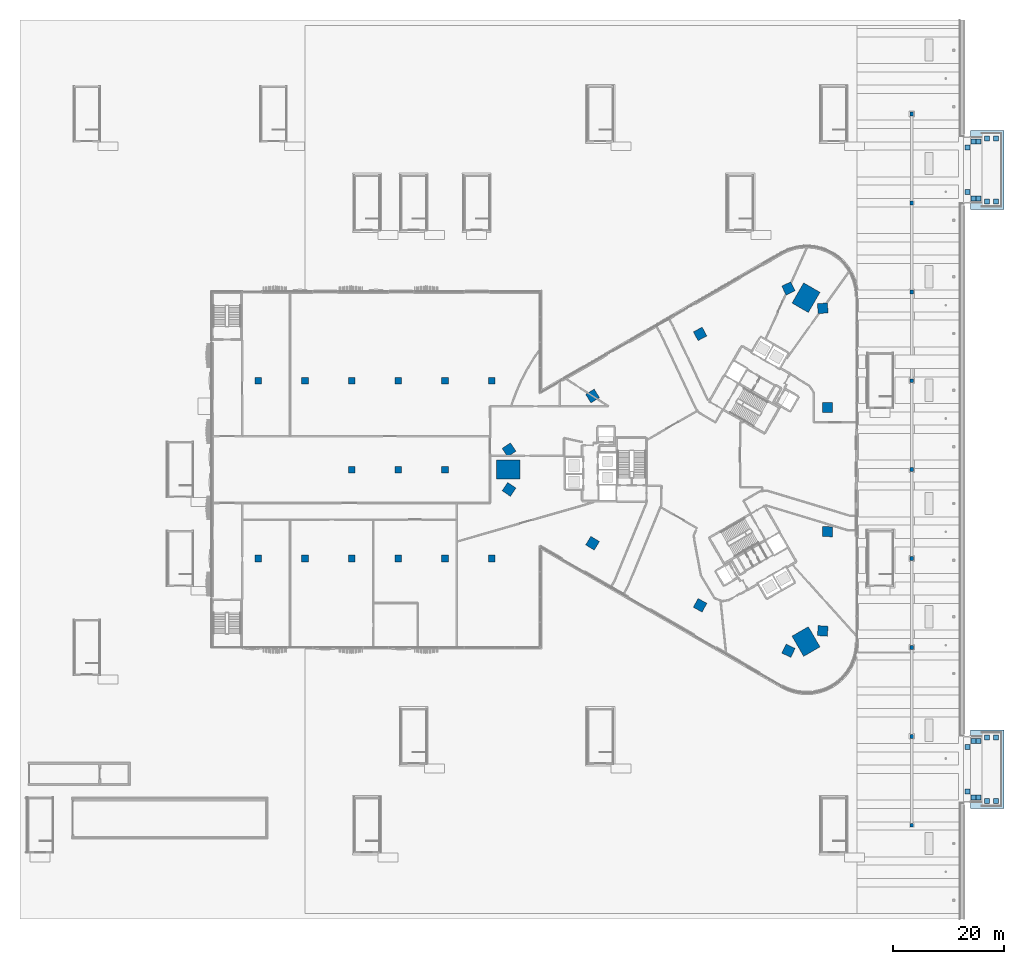
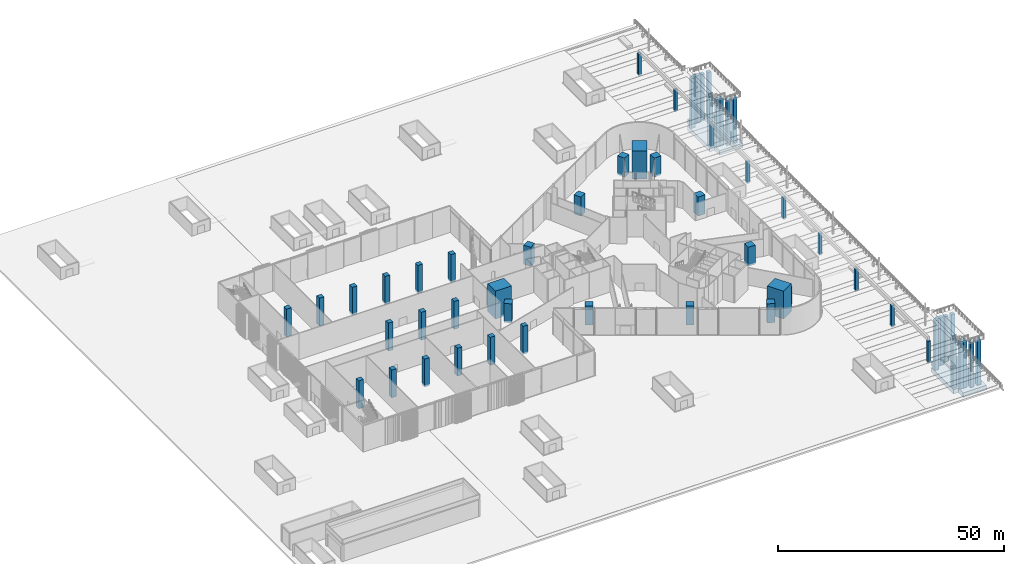
# One storey, part 1 of 41: 59 columns, 2 footings.
"""IFC4 building model written with IfcOpenShell, lengths in metres."""

from ifc_helpers import new_model, si_unit, direction, frame, origin, origin_2d, place, context, subcontext, project, spatial, polyline, rectangle, outline, extrude, material, material_profile, profile_set, type_object, element, save


model = new_model("IFC4")

# Units and contexts
model_context = context("Model", 3, precision=1e-05, world=origin(), true_north=direction((0.0, 1.0)))
body_context = subcontext(model_context, "Body", "Model", "MODEL_VIEW")
ifc_project = project(units=[si_unit("LENGTHUNIT", "METRE"), si_unit("AREAUNIT", "SQUARE_METRE"), si_unit("VOLUMEUNIT", "CUBIC_METRE"), si_unit("PLANEANGLEUNIT", "RADIAN"), si_unit("MASSUNIT", "GRAM", prefix="KILO")], contexts=[model_context])

# Site, building, storey
site_placement = place(None, origin())
site = spatial("IfcSite", under=ifc_project, at=site_placement, CompositionType="ELEMENT")
building_placement = place(site_placement, origin())
building = spatial("IfcBuilding", under=site, at=building_placement, Name="Tamra Quay Hotel Tower", CompositionType="ELEMENT")
storey_placement = place(building_placement, origin())
storey = spatial("IfcBuildingStorey", under=building, at=storey_placement, Name="L00", CompositionType="ELEMENT", Elevation=0.0)

# Footings
ifc_material_1 = material(Name="Concrete M50", Category="concrete")
footing_type = type_object("IfcFootingType", Name="WATERSIDE LANDING FOOTING", PredefinedType="PAD_FOOTING", material=ifc_material_1)
footing_1_placement = place(storey_placement, frame((0.0, 0.0, -15.5)))
element("IfcFooting", 1, at=footing_1_placement, inside=storey, type_object=footing_type, Name="Waterside landing footing 1", PredefinedType="PAD_FOOTING", context=body_context, shape_type="SweptSolid", body=[
    extrude(outline(polyline([(46.25, -58.8330078125), (47.5, -58.8330078125), (47.5, -61.032958984375), (53.5, -61.032958984375), (53.5, -46.8330078125), (47.5, -46.8330078125), (47.5, -49.032958984375), (46.25, -49.032958984375), (46.25, -58.8330078125)])), origin(), (0.0, 0.0, 1.0), 1.199951171875),
])
footing_2_placement = place(storey_placement, frame((0.0, 0.0, -15.5)))
element("IfcFooting", 2, at=footing_2_placement, inside=storey, type_object=footing_type, Name="Waterside landing footing 2", PredefinedType="PAD_FOOTING", context=body_context, shape_type="SweptSolid", body=[
    extrude(outline(polyline([(46.25, 49.032958984375), (47.5, 49.032958984375), (47.5, 46.8330078125), (53.5, 46.8330078125), (53.5, 61.032958984375), (47.5, 61.032958984375), (47.5, 58.8330078125), (46.25, 58.8330078125), (46.25, 49.032958984375)])), origin(), (0.0, 0.0, 1.0), 1.199951171875),
])

# Columns
ifc_material_2 = material(Name="Concrete M70", Category="concrete")
ifc_material_profile_1 = material_profile(ifc_material_2, rectangle(XDim=0.699951171875, YDim=0.699951171875, at=origin_2d()), Name="Concrete M70")
ifc_profile_set_1 = profile_set([ifc_material_profile_1], Name="Concrete M70")
column_type_1 = type_object("IfcColumnType", Name="CANOPY COLUMN 700X700", PredefinedType="COLUMN", material=ifc_profile_set_1)
for number, where, z_axis, x_axis, name in (
    (3, (36.89990234375, -32.0, -0.449951171875), (0.0, 0.0, 1.0), (1.0, 0.0, 0.0), "Canopy column 1"),
    (4, (36.89990234375, -16.0, -0.449951171875), (0.0, 0.0, 1.0), (1.0, 0.0, 0.0), "Canopy column 2"),
    (5, (36.89990234375, 0.0, -0.449951171875), (0.0, 0.0, 1.0), (1.0, 0.0, 0.0), "Canopy column 3"),
    (6, (36.89990234375, 16.0, -0.449951171875), (0.0, 0.0, 1.0), (1.0, 0.0, 0.0), "Canopy column 4"),
    (7, (36.89990234375, 32.0, -0.449951171875), (0.0, 0.0, 1.0), (1.0, 0.0, 0.0), "Canopy column 5"),
):
    element("IfcColumn", number, at=place(storey_placement, frame(where, z_axis=z_axis, x_axis=x_axis)), inside=storey, type_object=column_type_1, Name=name, PredefinedType="COLUMN", context=body_context, shape_type="SweptSolid", body=[
        extrude(rectangle(XDim=0.699951171875, YDim=0.699951171875, at=origin_2d()), origin(), (0.0, 0.0, 1.0), 5.849853515625),
    ])
ifc_material_profile_2 = material_profile(ifc_material_2, rectangle(XDim=1.199951171875, YDim=1.199951171875, at=origin_2d()), Name="LATTICE COLUMN RC 1200x1200")
ifc_profile_set_2 = profile_set([ifc_material_profile_2], Name="Concrete M70")
column_type_2 = type_object("IfcColumnType", Name="LATTICE COLUMN RC 1200x1200", PredefinedType="COLUMN", material=ifc_profile_set_2)
for number, where, z_axis, x_axis, name in (
    (8, (-80.699951171875, -16.0, -0.449951171875), (0.0, 0.0, 1.0), (1.0, 0.0, 0.0), "COL-BC054-L00"),
    (9, (-80.699951171875, 16.0, -0.449951171875), (0.0, 0.0, 1.0), (1.0, 0.0, 0.0), "COL-BC056-L00"),
    (10, (-72.300048828125, -16.0, -0.449951171875), (0.0, 0.0, 1.0), (1.0, 0.0, 0.0), "COL-BC065-L00"),
    (11, (-72.300048828125, 16.0, -0.449951171875), (0.0, 0.0, 1.0), (1.0, 0.0, 0.0), "COL-BC067-L00"),
    (12, (-63.89990234375, -16.0, -0.449951171875), (0.0, 0.0, 1.0), (1.0, 0.0, 0.0), "COL-BC076-L00"),
    (13, (-63.89990234375, 0.0, -0.449951171875), (0.0, 0.0, 1.0), (1.0, 0.0, 0.0), "COL-BC077-L00"),
    (14, (-63.89990234375, 16.0, -0.449951171875), (0.0, 0.0, 1.0), (1.0, 0.0, 0.0), "COL-BC078-L00"),
    (15, (-55.5, -16.0, -0.449951171875), (0.0, 0.0, 1.0), (1.0, 0.0, 0.0), "COL-BC087-L00"),
    (16, (-55.5, 0.0, -0.449951171875), (0.0, 0.0, 1.0), (1.0, 0.0, 0.0), "COL-BC088-L00"),
    (17, (-55.5, 16.0, -0.449951171875), (0.0, 0.0, 1.0), (1.0, 0.0, 0.0), "COL-BC089-L00"),
    (18, (-47.10009765625, -16.0, -0.449951171875), (0.0, 0.0, 1.0), (1.0, 0.0, 0.0), "COL-BC098-L00"),
    (19, (-47.10009765625, 0.0, -0.449951171875), (0.0, 0.0, 1.0), (1.0, 0.0, 0.0), "COL-BC099-L00"),
    (20, (-47.10009765625, 16.0, -0.449951171875), (0.0, 0.0, 1.0), (1.0, 0.0, 0.0), "COL-BC100-L00"),
    (21, (-38.699951171875, -16.0, -0.449951171875), (0.0, 0.0, 1.0), (1.0, 0.0, 0.0), "COL-BC109-L00"),
    (22, (-38.699951171875, 16.0, -0.449951171875), (0.0, 0.0, 1.0), (1.0, 0.0, 0.0), "COL-BC110-L00"),
):
    element("IfcColumn", number, at=place(storey_placement, frame(where, z_axis=z_axis, x_axis=x_axis)), inside=storey, type_object=column_type_2, Name=name, PredefinedType="COLUMN", context=body_context, shape_type="SweptSolid", body=[
        extrude(rectangle(XDim=1.199951171875, YDim=1.199951171875, at=origin_2d()), origin(), (0.0, 0.0, 1.0), 7.550048828125),
    ])
ifc_material_profile_3 = material_profile(ifc_material_2, rectangle(XDim=4.199951171875, YDim=3.39990234375, at=origin_2d()), Name="MEGA COLUMN RC 3400x4200 Z1")
ifc_profile_set_3 = profile_set([ifc_material_profile_3], Name="Concrete M70")
column_type_3 = type_object("IfcColumnType", Name="MEGA COLUMN RC 3400x4200 Z1", PredefinedType="COLUMN", material=ifc_profile_set_3)
for number, where, z_axis, x_axis, name in (
    (23, (17.864501953125, 30.942138671875, -0.449951171875), (0.0, 0.0, 1.0), (0.5, 0.866025403784, 0.0), "COL-M0NE-L00"),
    (24, (-35.72900390625, 0.0, -0.449951171875), (0.0, 0.0, 1.0), (1.0, 0.0, 0.0), "COL-M0W-L00"),
    (25, (17.864501953125, -30.942138671875, -0.449951171875), (0.0, 0.0, 1.0), (-0.5, 0.866025403784, 0.0), "COL-M0SE-L00"),
):
    element("IfcColumn", number, at=place(storey_placement, frame(where, z_axis=z_axis, x_axis=x_axis)), inside=storey, type_object=column_type_3, Name=name, PredefinedType="COLUMN", context=body_context, shape_type="SweptSolid", body=[
        extrude(rectangle(XDim=4.199951171875, YDim=3.39990234375, at=origin_2d()), origin(), (0.0, 0.0, 1.0), 7.550048828125),
    ])
ifc_material_profile_4 = material_profile(ifc_material_2, rectangle(XDim=1.800048828125, YDim=1.800048828125, at=origin_2d()), Name="MIDFACE COLUMN RC 1800x1800")
ifc_profile_set_4 = profile_set([ifc_material_profile_4], Name="Concrete M70")
column_type_4 = type_object("IfcColumnType", Name="MIDFACE COLUMN RC 1800x1800", PredefinedType="COLUMN", material=ifc_profile_set_4)
for number, where, z_axis, x_axis, name in (
    (26, (20.87890625, -29.033935546875, -0.449951171875), (0.0, 0.0, 1.0), (-0.997561736499, 0.069789554182, 0.0), "COL-PRE1-L00"),
    (27, (21.7490234375, -11.17431640625, -0.449951171875), (0.0, 0.0, 1.0), (-0.999628128016, 0.02726913418, 0.0), "COL-PRE2-L00"),
    (28, (21.7490234375, 11.17431640625, -0.449951171875), (0.0, 0.0, 1.0), (0.999628128016, 0.02726913418, 0.0), "COL-PRE3-L00"),
    (29, (20.87890625, 29.033935546875, -0.449951171875), (0.0, 0.0, 1.0), (0.997561736499, 0.069789554182, 0.0), "COL-PRE4-L00"),
    (30, (14.70458984375, 32.5986328125, -0.449951171875), (0.0, 0.0, 1.0), (-0.438341341409, 0.898808582743, 0.0), "COL-PRNW1-L00"),
    (31, (-1.197265625, 24.422607421875, -0.449951171875), (0.0, 0.0, 1.0), (-0.476198301069, 0.879337920289, 0.0), "COL-PRNW2-L00"),
    (32, (-20.552001953125, 13.248046875, -0.449951171875), (0.0, 0.0, 1.0), (-0.523429826947, 0.85206878611, 0.0), "COL-PRNW3-L00"),
    (33, (-35.58349609375, 3.564697265625, -0.449951171875), (0.0, 0.0, 1.0), (-0.55922039509, 0.82901902856, 0.0), "COL-PRNW4-L00"),
    (34, (-35.58349609375, -3.564697265625, -0.449951171875), (0.0, 0.0, 1.0), (0.55922039509, 0.82901902856, 0.0), "COL-PRSW1-L00"),
    (35, (-20.552001953125, -13.248046875, -0.449951171875), (0.0, 0.0, 1.0), (0.523429826947, 0.85206878611, 0.0), "COL-PRSW2-L00"),
    (36, (-1.197265625, -24.422607421875, -0.449951171875), (0.0, 0.0, 1.0), (0.476198301069, 0.879337920289, 0.0), "COL-PRSW3-L00"),
    (37, (14.70458984375, -32.5986328125, -0.449951171875), (0.0, 0.0, 1.0), (0.438341341409, 0.898808582743, 0.0), "COL-PRSW4-L00"),
):
    element("IfcColumn", number, at=place(storey_placement, frame(where, z_axis=z_axis, x_axis=x_axis)), inside=storey, type_object=column_type_4, Name=name, PredefinedType="COLUMN", context=body_context, shape_type="SweptSolid", body=[
        extrude(rectangle(XDim=1.800048828125, YDim=1.800048828125, at=origin_2d()), origin(), (0.0, 0.0, 1.0), 5.14990234375),
    ])
ifc_material_profile_5 = material_profile(ifc_material_2, rectangle(XDim=0.699951171875, YDim=0.699951171875, at=origin_2d()), Name="Concrete M70")
ifc_profile_set_5 = profile_set([ifc_material_profile_5], Name="Concrete M70")
column_type_5 = type_object("IfcColumnType", Name="QUAY COLONNADE COLUMN 700X700", PredefinedType="COLUMN", material=ifc_profile_set_5)
for number, where, z_axis, x_axis, name in (
    (38, (36.89990234375, -64.0, -0.449951171875), (0.0, 0.0, 1.0), (1.0, 0.0, 0.0), "Quay colonnade column 1"),
    (39, (36.89990234375, -48.0, -0.449951171875), (0.0, 0.0, 1.0), (1.0, 0.0, 0.0), "Quay colonnade column 2"),
    (40, (36.89990234375, 48.0, -0.449951171875), (0.0, 0.0, 1.0), (1.0, 0.0, 0.0), "Quay colonnade column 3"),
    (41, (36.89990234375, 64.0, -0.449951171875), (0.0, 0.0, 1.0), (1.0, 0.0, 0.0), "Quay colonnade column 4"),
):
    element("IfcColumn", number, at=place(storey_placement, frame(where, z_axis=z_axis, x_axis=x_axis)), inside=storey, type_object=column_type_5, Name=name, PredefinedType="COLUMN", context=body_context, shape_type="SweptSolid", body=[
        extrude(rectangle(XDim=0.699951171875, YDim=0.699951171875, at=origin_2d()), origin(), (0.0, 0.0, 1.0), 5.849853515625),
    ])
ifc_material_profile_6 = material_profile(ifc_material_1, rectangle(XDim=0.89990234375, YDim=0.89990234375, at=origin_2d()), Name="WATERSIDE LANDING PIER 900")
ifc_profile_set_6 = profile_set([ifc_material_profile_6], Name="Concrete M50")
column_type_6 = type_object("IfcColumnType", Name="WATERSIDE LANDING PIER 900", PredefinedType="COLUMN", material=ifc_profile_set_6)
for number, where, z_axis, x_axis, name in (
    (42, (46.89990234375, -57.93310546875, -14.300048828125), (0.0, 0.0, 1.0), (1.0, 0.0, 0.0), "Harbour terrace pier 1.1"),
    (43, (46.89990234375, -49.93310546875, -14.300048828125), (0.0, 0.0, 1.0), (1.0, 0.0, 0.0), "Harbour terrace pier 1.1"),
):
    element("IfcColumn", number, at=place(storey_placement, frame(where, z_axis=z_axis, x_axis=x_axis)), inside=storey, type_object=column_type_6, Name=name, PredefinedType="COLUMN", context=body_context, shape_type="SweptSolid", body=[
        extrude(rectangle(XDim=0.89990234375, YDim=0.89990234375, at=origin_2d()), origin(), (0.0, 0.0, 1.0), 13.400146484375),
    ])
for number, where, z_axis, x_axis, name in (
    (44, (48.050048828125, -59.032958984375, -14.300048828125), (0.0, 0.0, 1.0), (1.0, 0.0, 0.0), "Harbour terrace pier 1.2"),
    (45, (48.050048828125, -48.8330078125, -14.300048828125), (0.0, 0.0, 1.0), (1.0, 0.0, 0.0), "Harbour terrace pier 1.2"),
    (46, (48.949951171875, -59.032958984375, -14.300048828125), (0.0, 0.0, 1.0), (1.0, 0.0, 0.0), "Harbour terrace pier 1.2"),
    (47, (48.949951171875, -48.8330078125, -14.300048828125), (0.0, 0.0, 1.0), (1.0, 0.0, 0.0), "Harbour terrace pier 1.2"),
):
    element("IfcColumn", number, at=place(storey_placement, frame(where, z_axis=z_axis, x_axis=x_axis)), inside=storey, type_object=column_type_6, Name=name, PredefinedType="COLUMN", context=body_context, shape_type="SweptSolid", body=[
        extrude(rectangle(XDim=0.89990234375, YDim=0.89990234375, at=origin_2d()), origin(), (0.0, 0.0, 1.0), 12.800048828125),
    ])
for number, where, z_axis, x_axis, name in (
    (48, (50.39990234375, -59.633056640625, -14.300048828125), (0.0, 0.0, 1.0), (1.0, 0.0, 0.0), "Waterside landing pier 1"),
    (49, (52.10009765625, -59.633056640625, -14.300048828125), (0.0, 0.0, 1.0), (1.0, 0.0, 0.0), "Waterside landing pier 1"),
    (50, (50.39990234375, -48.23291015625, -14.300048828125), (0.0, 0.0, 1.0), (1.0, 0.0, 0.0), "Waterside landing pier 1"),
    (51, (52.10009765625, -48.23291015625, -14.300048828125), (0.0, 0.0, 1.0), (1.0, 0.0, 0.0), "Waterside landing pier 1"),
):
    element("IfcColumn", number, at=place(storey_placement, frame(where, z_axis=z_axis, x_axis=x_axis)), inside=storey, type_object=column_type_6, Name=name, PredefinedType="COLUMN", context=body_context, shape_type="SweptSolid", body=[
        extrude(rectangle(XDim=0.89990234375, YDim=0.89990234375, at=origin_2d()), origin(), (0.0, 0.0, 1.0), 12.199951171875),
    ])
for number, where, z_axis, x_axis, name in (
    (52, (46.89990234375, 49.93310546875, -14.300048828125), (0.0, 0.0, 1.0), (1.0, 0.0, 0.0), "Harbour terrace pier 2.1"),
    (53, (46.89990234375, 57.93310546875, -14.300048828125), (0.0, 0.0, 1.0), (1.0, 0.0, 0.0), "Harbour terrace pier 2.1"),
):
    element("IfcColumn", number, at=place(storey_placement, frame(where, z_axis=z_axis, x_axis=x_axis)), inside=storey, type_object=column_type_6, Name=name, PredefinedType="COLUMN", context=body_context, shape_type="SweptSolid", body=[
        extrude(rectangle(XDim=0.89990234375, YDim=0.89990234375, at=origin_2d()), origin(), (0.0, 0.0, 1.0), 13.400146484375),
    ])
for number, where, z_axis, x_axis, name in (
    (54, (48.050048828125, 48.8330078125, -14.300048828125), (0.0, 0.0, 1.0), (1.0, 0.0, 0.0), "Harbour terrace pier 2.2"),
    (55, (48.050048828125, 59.032958984375, -14.300048828125), (0.0, 0.0, 1.0), (1.0, 0.0, 0.0), "Harbour terrace pier 2.2"),
    (56, (48.949951171875, 48.8330078125, -14.300048828125), (0.0, 0.0, 1.0), (1.0, 0.0, 0.0), "Harbour terrace pier 2.2"),
    (57, (48.949951171875, 59.032958984375, -14.300048828125), (0.0, 0.0, 1.0), (1.0, 0.0, 0.0), "Harbour terrace pier 2.2"),
):
    element("IfcColumn", number, at=place(storey_placement, frame(where, z_axis=z_axis, x_axis=x_axis)), inside=storey, type_object=column_type_6, Name=name, PredefinedType="COLUMN", context=body_context, shape_type="SweptSolid", body=[
        extrude(rectangle(XDim=0.89990234375, YDim=0.89990234375, at=origin_2d()), origin(), (0.0, 0.0, 1.0), 12.800048828125),
    ])
for number, where, z_axis, x_axis, name in (
    (58, (50.39990234375, 48.23291015625, -14.300048828125), (0.0, 0.0, 1.0), (1.0, 0.0, 0.0), "Waterside landing pier 2"),
    (59, (52.10009765625, 48.23291015625, -14.300048828125), (0.0, 0.0, 1.0), (1.0, 0.0, 0.0), "Waterside landing pier 2"),
    (60, (50.39990234375, 59.633056640625, -14.300048828125), (0.0, 0.0, 1.0), (1.0, 0.0, 0.0), "Waterside landing pier 2"),
    (61, (52.10009765625, 59.633056640625, -14.300048828125), (0.0, 0.0, 1.0), (1.0, 0.0, 0.0), "Waterside landing pier 2"),
):
    element("IfcColumn", number, at=place(storey_placement, frame(where, z_axis=z_axis, x_axis=x_axis)), inside=storey, type_object=column_type_6, Name=name, PredefinedType="COLUMN", context=body_context, shape_type="SweptSolid", body=[
        extrude(rectangle(XDim=0.89990234375, YDim=0.89990234375, at=origin_2d()), origin(), (0.0, 0.0, 1.0), 12.199951171875),
    ])

save(model, "model.ifc")
